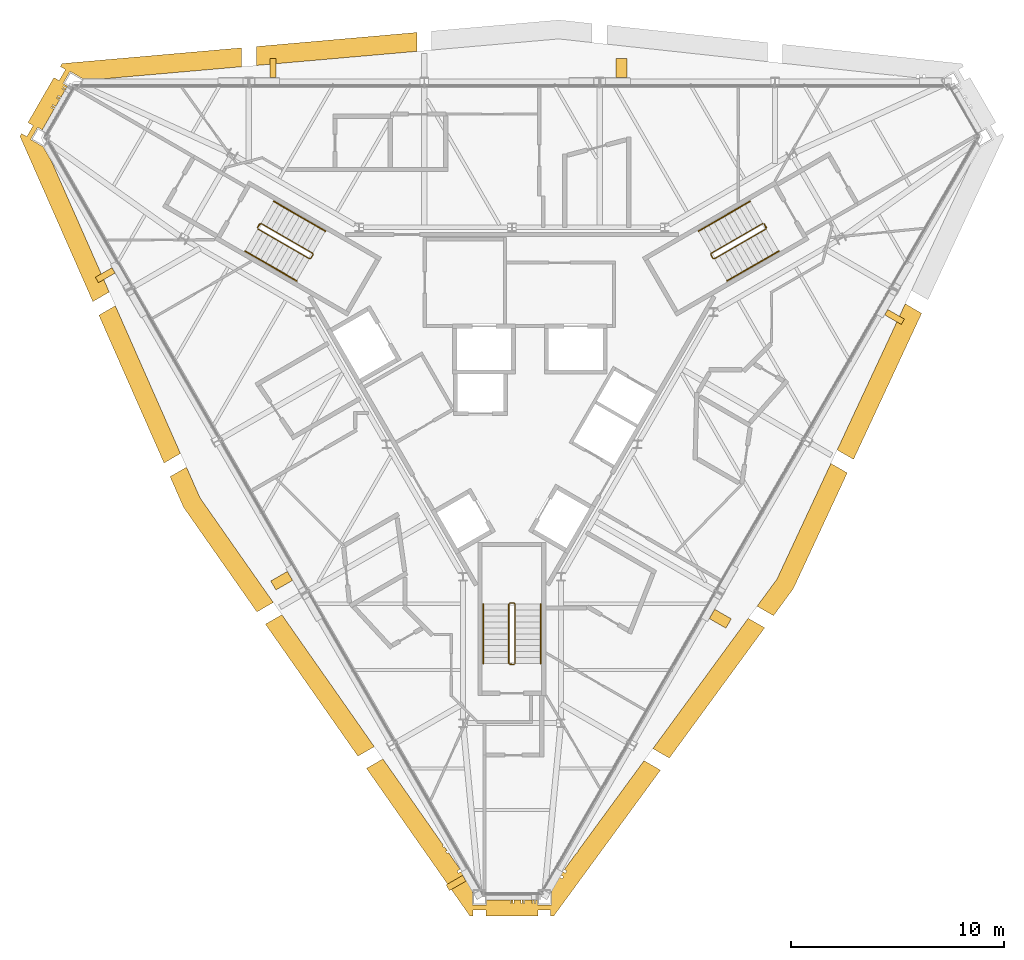
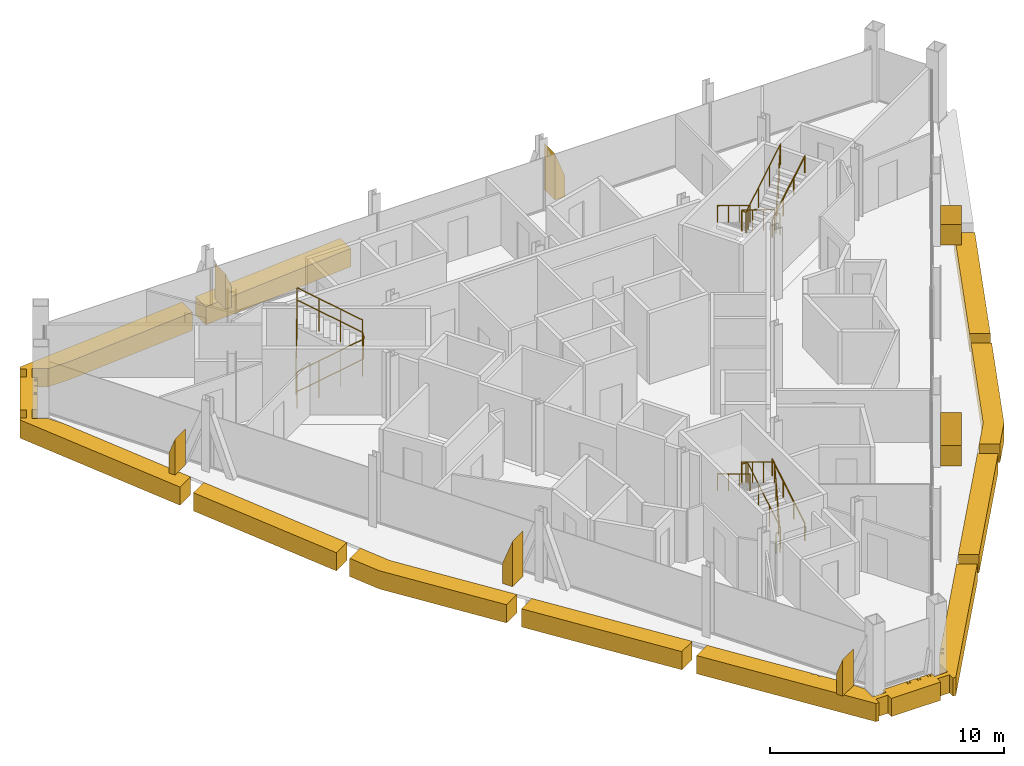
# One storey, part 12 of 13: 16 coverings, 9 railings.
"""IFC4 building model written with IfcOpenShell, lengths in metres."""

import ifcopenshell
import ifcopenshell.guid

model = None  # the IFC model being written
_history = None  # IfcOwnerHistory: only IFC2X3 demands one
_inside = {}  # id of a spatial element -> (the spatial element, [elements in it])
_under = {}  # id of a project, library or spatial element -> (it, [spatial elements below it])
_declared = {}  # id of a project -> (the project, [libraries it declares])
_typed = {}  # id of a type object -> (the type object, [elements of that type])
_made_of = {}  # id of a material, layer set ... -> (it, [elements and type objects made of it])


def new_model(schema):
    """Start an empty IFC model of exactly this schema.

    Asked for "IFC4X3", IfcOpenShell would pick the latest addendum, in which some entities
    have other attributes; the version numbers below select the first issue.
    IFC2X3 requires an IfcOwnerHistory on every rooted entity: one is made here for all.
    """
    global model, _history
    if schema == "IFC4X3":
        model = ifcopenshell.file(schema_version=(4, 3, 0, 0))
    else:
        model = ifcopenshell.file(schema=schema)
    _inside.clear()
    _under.clear()
    _declared.clear()
    _typed.clear()
    _made_of.clear()
    _history = None
    if model.schema == "IFC2X3":
        org = make("IfcOrganization", Name="unknown")
        user = make(
            "IfcPersonAndOrganization",
            ThePerson=make("IfcPerson", FamilyName="unknown"),
            TheOrganization=org,
        )
        app = make(
            "IfcApplication",
            ApplicationDeveloper=org,
            Version="unknown",
            ApplicationFullName="unknown",
            ApplicationIdentifier="unknown",
        )
        _history = make(
            "IfcOwnerHistory",
            OwningUser=user,
            OwningApplication=app,
            ChangeAction="ADDED",
            CreationDate=0,
        )
    return model


def make(cls, **values):
    """One entity of the class cls with the attributes given. An attribute that is None is left unset."""
    return model.create_entity(
        cls, **{name: value for name, value in values.items() if value is not None}
    )


def rooted(cls, **values):
    """An entity with a GlobalId (a new one), such as an element, a storey or a relation."""
    return make(cls, GlobalId=ifcopenshell.guid.new(), OwnerHistory=_history, **values)


def si_unit(unit_type, name, prefix=None):
    """IfcSIUnit, for example si_unit("LENGTHUNIT", "METRE", prefix="MILLI")."""
    return make("IfcSIUnit", UnitType=unit_type, Prefix=prefix, Name=name)


def assignment(units):
    """IfcUnitAssignment: the units of a project."""
    return None if units is None else make("IfcUnitAssignment", Units=units)


def point(xyz):
    """IfcCartesianPoint."""
    return None if xyz is None else make("IfcCartesianPoint", Coordinates=xyz)


def direction(xyz):
    """IfcDirection."""
    return None if xyz is None else make("IfcDirection", DirectionRatios=xyz)


def frame(location, z_axis=None, x_axis=None):
    """IfcAxis2Placement3D, a coordinate frame: its origin and axes. An axis left out is left unset."""
    return make(
        "IfcAxis2Placement3D",
        Location=point(location),
        Axis=direction(z_axis),
        RefDirection=direction(x_axis),
    )


def frame_2d(location, x_axis=None):
    """IfcAxis2Placement2D, a coordinate frame in the plane: its origin and x axis."""
    return make(
        "IfcAxis2Placement2D", Location=point(location), RefDirection=direction(x_axis)
    )


def origin():
    """The frame at (0, 0, 0) with its axes left unset."""
    return frame((0.0, 0.0, 0.0))


def origin_2d():
    """The frame at (0, 0) in the plane with its x axis left unset."""
    return frame_2d((0.0, 0.0))


def place(relative_to, where):
    """IfcLocalPlacement: puts the frame where relative to a parent placement (None: the world)."""
    return make(
        "IfcLocalPlacement", PlacementRelTo=relative_to, RelativePlacement=where
    )


def context(
    kind, dimensions, precision=None, world=None, true_north=None, identifier=None
):
    """IfcGeometricRepresentationContext, for example the 3D "Model" context."""
    return make(
        "IfcGeometricRepresentationContext",
        ContextIdentifier=identifier,
        ContextType=kind,
        CoordinateSpaceDimension=dimensions,
        Precision=precision,
        WorldCoordinateSystem=world,
        TrueNorth=true_north,
    )


def subcontext(parent, identifier, kind, view, scale=None):
    """IfcGeometricRepresentationSubContext, for example "Body" below "Model"."""
    return make(
        "IfcGeometricRepresentationSubContext",
        ContextIdentifier=identifier,
        ContextType=kind,
        ParentContext=parent,
        TargetScale=scale,
        TargetView=view,
    )


def project(units=None, contexts=None):
    """IfcProject with its units and contexts."""
    return rooted(
        "IfcProject",
        Name="project",
        RepresentationContexts=contexts,
        UnitsInContext=assignment(units),
    )


def spatial(cls, under=None, at=None, **own):
    """A site, building, storey or space (cls), placed at a placement, below another one or the project."""
    s = rooted(cls, ObjectPlacement=at, **own)
    if under is not None:
        _under.setdefault(under.id(), (under, []))[1].append(s)
    return s


def polyline(points):
    """IfcPolyline through the points."""
    return make("IfcPolyline", Points=[point(p) for p in points])


def profile(cls, at=None, kind="AREA", **sizes):
    """A parametric profile (cls). Its sizes go by their IFC names, for example OverallWidth=200.0."""
    return make(cls, ProfileType=kind, Position=at, **sizes)


def circle(**sizes):
    """IfcCircleProfileDef."""
    return profile("IfcCircleProfileDef", **sizes)


def outline(outer, holes=None, kind="AREA"):
    """IfcArbitraryClosedProfileDef: a profile drawn as a closed curve; with holes, ...WithVoids."""
    if holes is None:
        return make("IfcArbitraryClosedProfileDef", ProfileType=kind, OuterCurve=outer)
    return make(
        "IfcArbitraryProfileDefWithVoids",
        ProfileType=kind,
        OuterCurve=outer,
        InnerCurves=holes,
    )


def extrude(swept, where, along, depth):
    """IfcExtrudedAreaSolid: the profile swept, set in the frame where, extruded along a direction by depth."""
    return make(
        "IfcExtrudedAreaSolid",
        SweptArea=swept,
        Position=where,
        ExtrudedDirection=direction(along),
        Depth=depth,
    )


def shape(context_of_items, identifier, shape_type, items):
    """IfcShapeRepresentation: the items that make up one representation, for example the "Body"."""
    return make(
        "IfcShapeRepresentation",
        ContextOfItems=context_of_items,
        RepresentationIdentifier=identifier,
        RepresentationType=shape_type,
        Items=items,
    )


def material(Name=None, Category=None):
    """IfcMaterial."""
    return make("IfcMaterial", Name=Name, Category=Category)


def layer(
    of_material, thickness, ventilated=None, Name=None, Category=None, Priority=None
):
    """IfcMaterialLayer: one layer of a wall or slab, of a material (None: an air gap)."""
    return make(
        "IfcMaterialLayer",
        Material=of_material,
        LayerThickness=thickness,
        IsVentilated=ventilated,
        Name=Name,
        Category=Category,
        Priority=Priority,
    )


def layer_set(layers, Name=None):
    """IfcMaterialLayerSet."""
    return make("IfcMaterialLayerSet", MaterialLayers=layers, LayerSetName=Name)


def made_of(thing, what):
    """Note that an element or type object is made of a material, layer set ...; save() writes the relation."""
    if what is not None:
        _made_of.setdefault(what.id(), (what, []))[1].append(thing)
    return thing


def type_object(cls, material=None, **own):
    """A type object (cls), such as IfcWallType, which elements share."""
    return made_of(rooted(cls, **own), material)


def element(
    cls,
    number,
    at=None,
    inside=None,
    cuts=None,
    type_object=None,
    material=None,
    context=None,
    identifier="Body",
    shape_type=None,
    held_by="IfcProductDefinitionShape",
    body=None,
    shapes=None,
    **own,
):
    """One element of the class cls, such as IfcWall. Its Tag is "e" and its number.

    at: its placement. inside: the storey or other place that contains it. cuts: it is an
    opening in that element (IfcRelVoidsElement). A single representation is given by context,
    identifier, shape_type and body (its items); several are given by shapes. held_by: the class
    of the entity that holds the representations. save() writes the other relations.
    """
    e = rooted(cls, Tag="e%d" % number, ObjectPlacement=at, **own)
    if body is not None:
        shapes = [shape(context, identifier, shape_type, body)]
    if shapes is not None:
        e.Representation = make(held_by, Representations=shapes)
    if inside is not None:
        _inside.setdefault(inside.id(), (inside, []))[1].append(e)
    if cuts is not None:
        rooted(
            "IfcRelVoidsElement", RelatingBuildingElement=cuts, RelatedOpeningElement=e
        )
    if type_object is not None:
        _typed.setdefault(type_object.id(), (type_object, []))[1].append(e)
    return made_of(e, material)


def aggregate(whole, parts):
    """IfcRelAggregates: a whole, such as a stair, and the parts it consists of."""
    return rooted("IfcRelAggregates", RelatingObject=whole, RelatedObjects=parts)


def save(model, path):
    """Write the relations noted so far, then the file.

    IfcRelAggregates (storeys below a building ...), IfcRelContainedInSpatialStructure (elements
    in a storey), IfcRelDefinesByType, IfcRelAssociatesMaterial and IfcRelDeclares: one each for
    every whole, place, type object, material and project.
    """
    for whole, parts in _under.values():
        aggregate(whole, parts)
    for where, things in _inside.values():
        rooted(
            "IfcRelContainedInSpatialStructure",
            RelatedElements=things,
            RelatingStructure=where,
        )
    for kind, things in _typed.values():
        rooted("IfcRelDefinesByType", RelatedObjects=things, RelatingType=kind)
    for what, things in _made_of.values():
        rooted("IfcRelAssociatesMaterial", RelatedObjects=things, RelatingMaterial=what)
    for by, libraries in _declared.values():
        rooted("IfcRelDeclares", RelatingContext=by, RelatedDefinitions=libraries)
    model.write(path)


model = new_model("IFC4")

# Units and contexts
model_context = context("Model", 3, precision=1e-05, world=origin(), true_north=direction((0.0, 1.0)))
body_context = subcontext(model_context, "Body", "Model", "MODEL_VIEW")
ifc_project = project(units=[si_unit("LENGTHUNIT", "METRE"), si_unit("AREAUNIT", "SQUARE_METRE"), si_unit("VOLUMEUNIT", "CUBIC_METRE"), si_unit("PLANEANGLEUNIT", "RADIAN"), si_unit("MASSUNIT", "GRAM", prefix="KILO")], contexts=[model_context])

# Site, building, storey
site_placement = place(None, origin())
site = spatial("IfcSite", under=ifc_project, at=site_placement, CompositionType="ELEMENT")
building_placement = place(site_placement, origin())
building = spatial("IfcBuilding", under=site, at=building_placement, Name="Verrane Prism Tower", CompositionType="ELEMENT")
storey_placement = place(building_placement, frame((0.0, 0.0, 282.5)))
storey = spatial("IfcBuildingStorey", under=building, at=storey_placement, Name="L71", CompositionType="ELEMENT", Elevation=282.5)

# Railings
ifc_material_1 = material(Name="Steel A36 rail and posts, no infill", Category="steel")
railing_type_1 = type_object("IfcRailingType", Name="Stair guard 1100 steel rail and posts", PredefinedType="GUARDRAIL", material=ifc_material_1)
railing_1_placement = place(storey_placement, frame((11.78955078125, 6.97998046875, 0.168212890625)))
element("IfcRailing", 1, at=railing_1_placement, inside=storey, type_object=railing_type_1, Name="Stair 1 guard", PredefinedType="GUARDRAIL", context=body_context, shape_type="SweptSolid", body=[
    extrude(circle(Radius=0.02392578125, at=origin_2d()), frame((0.0, 0.0, 1.076171875), z_axis=(-0.742366697286, -0.42866220388, 0.514917859203), x_axis=(0.500049511043, -0.865996816683, 0.0)), (0.0, 0.0, 1.0), 3.266357421875),
    extrude(circle(Radius=0.02392578125, at=origin_2d()), frame((-2.4248046875, -1.400146484375, 2.7578125), z_axis=(-0.259601060869, -0.965715946433, 0.0), x_axis=(0.965715946433, -0.259601060869, 0.0)), (0.0, 0.0, 1.0), 0.070556640625),
    extrude(circle(Radius=0.02392578125, at=origin_2d()), frame((-2.443115234375, -1.46826171875, 2.7578125), z_axis=(0.499158860599, -0.866510491504, 0.0), x_axis=(0.866510491504, 0.499158860599, 0.0)), (0.0, 0.0, 1.0), 0.199951171875),
    extrude(circle(Radius=0.02392578125, at=origin_2d()), frame((-2.34326171875, -1.6416015625, 2.7578125), z_axis=(0.375047803403, -0.100459233054, 0.92154603122), x_axis=(0.258736085224, 0.965948051503, 0.0)), (0.0, 0.0, 1.0), 0.182373046875),
    extrude(circle(Radius=0.02392578125, at=origin_2d()), frame((-2.27490234375, -1.659912109375, 2.92578125), z_axis=(0.742366697286, 0.42866220388, 0.514917859203), x_axis=(-0.500049511043, 0.865996816683, 0.0)), (0.0, 0.0, 1.0), 3.266357421875),
    extrude(circle(Radius=0.02392578125, at=origin_2d()), frame((0.14990234375, -0.259765625, 4.60791015625), z_axis=(-0.021986835041, 0.065104730107, -0.997636182785), x_axis=(-0.947430582667, -0.3199613899, 0.0)), (0.0, 0.0, 1.0), 3.708740234375),
    extrude(circle(Radius=0.02392578125, at=origin_2d()), frame((0.068359375, -0.018310546875, 0.90771484375), z_axis=(0.499158860599, -0.866510491504, 0.0), x_axis=(0.866510491504, 0.499158860599, 0.0)), (0.0, 0.0, 1.0), 0.199951171875),
    extrude(circle(Radius=0.02099609375, at=origin_2d()), origin(), (0.0, 0.0, 1.0), 1.052001953125),
    extrude(circle(Radius=0.02099609375, at=origin_2d()), frame((-0.808349609375, -0.466796875, 0.560546875)), (0.0, 0.0, 1.0), 1.052001953125),
    extrude(circle(Radius=0.02099609375, at=origin_2d()), frame((-1.616455078125, -0.933349609375, 1.121337890625)), (0.0, 0.0, 1.0), 1.052001953125),
    extrude(circle(Radius=0.02099609375, at=origin_2d()), frame((-2.4248046875, -1.400146484375, 1.681884765625)), (0.0, 0.0, 1.0), 1.052001953125),
    extrude(circle(Radius=0.02099609375, at=origin_2d()), frame((-2.443115234375, -1.46826171875, 1.681884765625)), (0.0, 0.0, 1.0), 1.052001953125),
    extrude(circle(Radius=0.02099609375, at=origin_2d()), frame((-2.34326171875, -1.6416015625, 1.681884765625)), (0.0, 0.0, 1.0), 1.052001953125),
    extrude(circle(Radius=0.02099609375, at=origin_2d()), frame((-2.27490234375, -1.659912109375, 1.849853515625)), (0.0, 0.0, 1.0), 1.052001953125),
    extrude(circle(Radius=0.02099609375, at=origin_2d()), frame((-1.466552734375, -1.193115234375, 2.410400390625)), (0.0, 0.0, 1.0), 1.052001953125),
    extrude(circle(Radius=0.02099609375, at=origin_2d()), frame((-0.658447265625, -0.7265625, 2.97119140625)), (0.0, 0.0, 1.0), 1.052001953125),
    extrude(circle(Radius=0.02099609375, at=origin_2d()), frame((0.14990234375, -0.259765625, 3.53173828125)), (0.0, 0.0, 1.0), 1.052001953125),
    extrude(circle(Radius=0.02099609375, at=origin_2d()), frame((0.12939453125, -0.199462890625, 2.606689453125)), (0.0, 0.0, 1.0), 1.052001953125),
    extrude(circle(Radius=0.02099609375, at=origin_2d()), frame((0.109130859375, -0.13916015625, 1.681640625)), (0.0, 0.0, 1.0), 1.052001953125),
    extrude(circle(Radius=0.02099609375, at=origin_2d()), frame((0.0888671875, -0.07861328125, 0.7568359375)), (0.0, 0.0, 1.0), 1.052001953125),
    extrude(circle(Radius=0.02099609375, at=origin_2d()), frame((0.068359375, -0.018310546875, -0.168212890625)), (0.0, 0.0, 1.0), 1.052001953125),
    extrude(circle(Radius=0.02099609375, at=origin_2d()), frame((0.168212890625, -0.191650390625, -0.168212890625)), (0.0, 0.0, 1.0), 1.052001953125),
])
railing_2_placement = place(storey_placement, frame((-11.939453125, 6.72021484375, 0.168212890625)))
element("IfcRailing", 2, at=railing_2_placement, inside=storey, type_object=railing_type_1, Name="Stair 2 guard", PredefinedType="GUARDRAIL", context=body_context, shape_type="SweptSolid", body=[
    extrude(circle(Radius=0.02392578125, at=origin_2d()), frame((0.0, 0.0, 1.076171875), z_axis=(0.742366697286, -0.42866220388, 0.514917859203), x_axis=(0.500049511043, 0.865996816683, 0.0)), (0.0, 0.0, 1.0), 3.266357421875),
    extrude(circle(Radius=0.02392578125, at=origin_2d()), frame((2.4248046875, -1.400146484375, 2.7578125), z_axis=(0.965948051503, 0.258736085224, 0.0), x_axis=(-0.258736085224, 0.965948051503, 0.0)), (0.0, 0.0, 1.0), 0.07080078125),
    extrude(circle(Radius=0.02392578125, at=origin_2d()), frame((2.4931640625, -1.3818359375, 2.7578125), z_axis=(0.499158860599, 0.866510491504, 0.0), x_axis=(-0.866510491504, 0.499158860599, 0.0)), (0.0, 0.0, 1.0), 0.199951171875),
    extrude(circle(Radius=0.02392578125, at=origin_2d()), frame((2.593017578125, -1.20849609375, 2.7578125), z_axis=(-0.10050964758, 0.373895888998, 0.922008500467), x_axis=(-0.965715946433, -0.259601060869, 0.0)), (0.0, 0.0, 1.0), 0.18212890625),
    extrude(circle(Radius=0.02392578125, at=origin_2d()), frame((2.57470703125, -1.140380859375, 2.92578125), z_axis=(-0.742366697286, 0.42866220388, 0.514917859203), x_axis=(-0.500049511043, -0.865996816683, 0.0)), (0.0, 0.0, 1.0), 3.266357421875),
    extrude(circle(Radius=0.02392578125, at=origin_2d()), frame((0.14990234375, 0.259765625, 4.60791015625), z_axis=(-0.04535595117, -0.051675503147, -0.99763343973), x_axis=(0.751567565678, -0.659656118156, 0.0)), (0.0, 0.0, 1.0), 3.708740234375),
    extrude(circle(Radius=0.02392578125, at=origin_2d()), frame((-0.018310546875, 0.068115234375, 0.90771484375), z_axis=(0.499158860599, 0.866510491504, 0.0), x_axis=(-0.866510491504, 0.499158860599, 0.0)), (0.0, 0.0, 1.0), 0.199951171875),
    extrude(circle(Radius=0.02099609375, at=origin_2d()), origin(), (0.0, 0.0, 1.0), 1.052001953125),
    extrude(circle(Radius=0.02099609375, at=origin_2d()), frame((0.808349609375, -0.466796875, 0.560546875)), (0.0, 0.0, 1.0), 1.052001953125),
    extrude(circle(Radius=0.02099609375, at=origin_2d()), frame((1.616455078125, -0.933349609375, 1.121337890625)), (0.0, 0.0, 1.0), 1.052001953125),
    extrude(circle(Radius=0.02099609375, at=origin_2d()), frame((2.4248046875, -1.400146484375, 1.681884765625)), (0.0, 0.0, 1.0), 1.052001953125),
    extrude(circle(Radius=0.02099609375, at=origin_2d()), frame((2.4931640625, -1.3818359375, 1.681884765625)), (0.0, 0.0, 1.0), 1.052001953125),
    extrude(circle(Radius=0.02099609375, at=origin_2d()), frame((2.593017578125, -1.20849609375, 1.681884765625)), (0.0, 0.0, 1.0), 1.052001953125),
    extrude(circle(Radius=0.02099609375, at=origin_2d()), frame((2.57470703125, -1.140380859375, 1.849853515625)), (0.0, 0.0, 1.0), 1.052001953125),
    extrude(circle(Radius=0.02099609375, at=origin_2d()), frame((1.766357421875, -0.673583984375, 2.410400390625)), (0.0, 0.0, 1.0), 1.052001953125),
    extrude(circle(Radius=0.02099609375, at=origin_2d()), frame((0.958251953125, -0.20703125, 2.97119140625)), (0.0, 0.0, 1.0), 1.052001953125),
    extrude(circle(Radius=0.02099609375, at=origin_2d()), frame((0.14990234375, 0.259765625, 3.53173828125)), (0.0, 0.0, 1.0), 1.052001953125),
    extrude(circle(Radius=0.02099609375, at=origin_2d()), frame((0.10791015625, 0.2119140625, 2.606689453125)), (0.0, 0.0, 1.0), 1.052001953125),
    extrude(circle(Radius=0.02099609375, at=origin_2d()), frame((0.06591796875, 0.1640625, 1.681640625)), (0.0, 0.0, 1.0), 1.052001953125),
    extrude(circle(Radius=0.02099609375, at=origin_2d()), frame((0.023681640625, 0.115966796875, 0.7568359375)), (0.0, 0.0, 1.0), 1.052001953125),
    extrude(circle(Radius=0.02099609375, at=origin_2d()), frame((-0.018310546875, 0.068115234375, -0.168212890625)), (0.0, 0.0, 1.0), 1.052001953125),
    extrude(circle(Radius=0.02099609375, at=origin_2d()), frame((0.08154296875, 0.241455078125, -0.168212890625)), (0.0, 0.0, 1.0), 1.052001953125),
])
railing_3_placement = place(storey_placement, frame((0.14990234375, -13.699951171875, 0.168212890625)))
element("IfcRailing", 3, at=railing_3_placement, inside=storey, type_object=railing_type_1, Name="Stair 3 guard", PredefinedType="GUARDRAIL", context=body_context, shape_type="SweptSolid", body=[
    extrude(circle(Radius=0.02392578125, at=origin_2d()), frame((0.0, 0.0, 1.076171875), z_axis=(0.0, 0.857242210791, 0.514913383045), x_axis=(-1.0, 0.0, 0.0)), (0.0, 0.0, 1.0), 3.266357421875),
    extrude(circle(Radius=0.02392578125, at=origin_2d()), frame((0.0, 2.800048828125, 2.7578125), z_axis=(-0.707106781187, 0.707106781187, 0.0), x_axis=(-0.707106781187, -0.707106781187, 0.0)), (0.0, 0.0, 1.0), 0.0703125),
    extrude(circle(Radius=0.02392578125, at=origin_2d()), frame((-0.0498046875, 2.849853515625, 2.7578125), z_axis=(-1.0, 0.0, 0.0), x_axis=(0.0, -1.0, 0.0)), (0.0, 0.0, 1.0), 0.2001953125),
    extrude(circle(Radius=0.02392578125, at=origin_2d()), frame((-0.25, 2.849853515625, 2.7578125), z_axis=(-0.273443704961, -0.273443704961, 0.922202299083), x_axis=(0.707106781187, -0.707106781187, 0.0)), (0.0, 0.0, 1.0), 0.18212890625),
    extrude(circle(Radius=0.02392578125, at=origin_2d()), frame((-0.2998046875, 2.800048828125, 2.92578125), z_axis=(0.0, -0.857242210791, 0.514913383045), x_axis=(1.0, 0.0, 0.0)), (0.0, 0.0, 1.0), 3.266357421875),
    extrude(circle(Radius=0.02392578125, at=origin_2d()), frame((-0.2998046875, 0.0, 4.60791015625), z_axis=(0.067408604812, -0.013494886706, -0.997634185476), x_axis=(0.196300278283, 0.98054382908, 0.0)), (0.0, 0.0, 1.0), 3.708740234375),
    extrude(circle(Radius=0.02392578125, at=origin_2d()), frame((-0.0498046875, -0.050048828125, 0.90771484375), z_axis=(-1.0, 0.0, 0.0), x_axis=(0.0, -1.0, 0.0)), (0.0, 0.0, 1.0), 0.2001953125),
    extrude(circle(Radius=0.02099609375, at=origin_2d()), origin(), (0.0, 0.0, 1.0), 1.052001953125),
    extrude(circle(Radius=0.02099609375, at=origin_2d()), frame((0.0, 0.933349609375, 0.560546875)), (0.0, 0.0, 1.0), 1.052001953125),
    extrude(circle(Radius=0.02099609375, at=origin_2d()), frame((0.0, 1.86669921875, 1.121337890625)), (0.0, 0.0, 1.0), 1.052001953125),
    extrude(circle(Radius=0.02099609375, at=origin_2d()), frame((0.0, 2.800048828125, 1.681884765625)), (0.0, 0.0, 1.0), 1.052001953125),
    extrude(circle(Radius=0.02099609375, at=origin_2d()), frame((-0.0498046875, 2.849853515625, 1.681884765625)), (0.0, 0.0, 1.0), 1.052001953125),
    extrude(circle(Radius=0.02099609375, at=origin_2d()), frame((-0.25, 2.849853515625, 1.681884765625)), (0.0, 0.0, 1.0), 1.052001953125),
    extrude(circle(Radius=0.02099609375, at=origin_2d()), frame((-0.2998046875, 2.800048828125, 1.849853515625)), (0.0, 0.0, 1.0), 1.052001953125),
    extrude(circle(Radius=0.02099609375, at=origin_2d()), frame((-0.2998046875, 1.86669921875, 2.410400390625)), (0.0, 0.0, 1.0), 1.052001953125),
    extrude(circle(Radius=0.02099609375, at=origin_2d()), frame((-0.2998046875, 0.933349609375, 2.97119140625)), (0.0, 0.0, 1.0), 1.052001953125),
    extrude(circle(Radius=0.02099609375, at=origin_2d()), frame((-0.2998046875, 0.0, 3.53173828125)), (0.0, 0.0, 1.0), 1.052001953125),
    extrude(circle(Radius=0.02099609375, at=origin_2d()), frame((-0.2373046875, -0.012451171875, 2.606689453125)), (0.0, 0.0, 1.0), 1.052001953125),
    extrude(circle(Radius=0.02099609375, at=origin_2d()), frame((-0.1748046875, -0.02490234375, 1.681640625)), (0.0, 0.0, 1.0), 1.052001953125),
    extrude(circle(Radius=0.02099609375, at=origin_2d()), frame((-0.1123046875, -0.03759765625, 0.7568359375)), (0.0, 0.0, 1.0), 1.052001953125),
    extrude(circle(Radius=0.02099609375, at=origin_2d()), frame((-0.0498046875, -0.050048828125, -0.168212890625)), (0.0, 0.0, 1.0), 1.052001953125),
    extrude(circle(Radius=0.02099609375, at=origin_2d()), frame((-0.25, -0.050048828125, -0.168212890625)), (0.0, 0.0, 1.0), 1.052001953125),
])
ifc_material_2 = material(Name="Steel A36 tube", Category="steel")
railing_type_2 = type_object("IfcRailingType", Name="Stair handrail 900 steel tube", PredefinedType="HANDRAIL", material=ifc_material_2)
railing_4_placement = place(storey_placement, frame((11.189453125, 8.01904296875, 0.168212890625)))
element("IfcRailing", 4, at=railing_4_placement, inside=storey, type_object=railing_type_2, Name="Stair 1 handrail", PredefinedType="HANDRAIL", context=body_context, shape_type="SweptSolid", body=[
    extrude(circle(Radius=0.02392578125, at=origin_2d()), frame((0.0, 0.0, 0.8759765625), z_axis=(-0.742390482028, -0.42860119049, 0.514934356695), x_axis=(0.49998411664, -0.866034573852, 0.0)), (0.0, 0.0, 1.0), 3.26611328125),
    extrude(circle(Radius=0.02099609375, at=origin_2d()), origin(), (0.0, 0.0, 1.0), 0.851806640625),
    extrude(circle(Radius=0.02099609375, at=origin_2d()), frame((-0.808349609375, -0.466552734375, 0.560546875)), (0.0, 0.0, 1.0), 0.851806640625),
    extrude(circle(Radius=0.02099609375, at=origin_2d()), frame((-1.616455078125, -0.933349609375, 1.121337890625)), (0.0, 0.0, 1.0), 0.851806640625),
    extrude(circle(Radius=0.02099609375, at=origin_2d()), frame((-2.4248046875, -1.39990234375, 1.681884765625)), (0.0, 0.0, 1.0), 0.851806640625),
])
railing_5_placement = place(storey_placement, frame((10.11474609375, 4.28076171875, 2.01806640625)))
element("IfcRailing", 5, at=railing_5_placement, inside=storey, type_object=railing_type_2, Name="Stair 1 handrail", PredefinedType="HANDRAIL", context=body_context, shape_type="SweptSolid", body=[
    extrude(circle(Radius=0.02392578125, at=origin_2d()), frame((0.0, 0.0, 0.8759765625), z_axis=(0.742366697286, 0.42866220388, 0.514917859203), x_axis=(-0.500049511043, 0.865996816683, 0.0)), (0.0, 0.0, 1.0), 3.266357421875),
    extrude(circle(Radius=0.02099609375, at=origin_2d()), origin(), (0.0, 0.0, 1.0), 0.851806640625),
    extrude(circle(Radius=0.02099609375, at=origin_2d()), frame((0.808349609375, 0.466796875, 0.560546875)), (0.0, 0.0, 1.0), 0.851806640625),
    extrude(circle(Radius=0.02099609375, at=origin_2d()), frame((1.616455078125, 0.933349609375, 1.121337890625)), (0.0, 0.0, 1.0), 0.851806640625),
    extrude(circle(Radius=0.02099609375, at=origin_2d()), frame((2.4248046875, 1.400146484375, 1.681884765625)), (0.0, 0.0, 1.0), 0.851806640625),
])
railing_6_placement = place(storey_placement, frame((-12.53955078125, 5.680908203125, 0.168212890625)))
element("IfcRailing", 6, at=railing_6_placement, inside=storey, type_object=railing_type_2, Name="Stair 2 handrail", PredefinedType="HANDRAIL", context=body_context, shape_type="SweptSolid", body=[
    extrude(circle(Radius=0.02392578125, at=origin_2d()), frame((0.0, 0.0, 0.8759765625), z_axis=(0.742366697286, -0.42866220388, 0.514917859203), x_axis=(0.500049511043, 0.865996816683, 0.0)), (0.0, 0.0, 1.0), 3.266357421875),
    extrude(circle(Radius=0.02099609375, at=origin_2d()), origin(), (0.0, 0.0, 1.0), 0.851806640625),
    extrude(circle(Radius=0.02099609375, at=origin_2d()), frame((0.808349609375, -0.466796875, 0.560546875)), (0.0, 0.0, 1.0), 0.851806640625),
    extrude(circle(Radius=0.02099609375, at=origin_2d()), frame((1.616455078125, -0.933349609375, 1.121337890625)), (0.0, 0.0, 1.0), 0.851806640625),
    extrude(circle(Radius=0.02099609375, at=origin_2d()), frame((2.4248046875, -1.400146484375, 1.681884765625)), (0.0, 0.0, 1.0), 0.851806640625),
])
railing_7_placement = place(storey_placement, frame((-8.7646484375, 6.619140625, 2.01806640625)))
element("IfcRailing", 7, at=railing_7_placement, inside=storey, type_object=railing_type_2, Name="Stair 2 handrail", PredefinedType="HANDRAIL", context=body_context, shape_type="SweptSolid", body=[
    extrude(circle(Radius=0.02392578125, at=origin_2d()), frame((0.0, 0.0, 0.8759765625), z_axis=(-0.742390482028, 0.42860119049, 0.514934356695), x_axis=(-0.49998411664, -0.866034573852, 0.0)), (0.0, 0.0, 1.0), 3.26611328125),
    extrude(circle(Radius=0.02099609375, at=origin_2d()), origin(), (0.0, 0.0, 1.0), 0.851806640625),
    extrude(circle(Radius=0.02099609375, at=origin_2d()), frame((-0.808349609375, 0.466552734375, 0.560546875)), (0.0, 0.0, 1.0), 0.851806640625),
    extrude(circle(Radius=0.02099609375, at=origin_2d()), frame((-1.616455078125, 0.933349609375, 1.121337890625)), (0.0, 0.0, 1.0), 0.851806640625),
    extrude(circle(Radius=0.02099609375, at=origin_2d()), frame((-2.4248046875, 1.39990234375, 1.681884765625)), (0.0, 0.0, 1.0), 0.851806640625),
])
railing_8_placement = place(storey_placement, frame((1.35009765625, -13.699951171875, 0.168212890625)))
element("IfcRailing", 8, at=railing_8_placement, inside=storey, type_object=railing_type_2, Name="Stair 3 handrail", PredefinedType="HANDRAIL", context=body_context, shape_type="SweptSolid", body=[
    extrude(circle(Radius=0.02392578125, at=origin_2d()), frame((0.0, 0.0, 0.8759765625), z_axis=(0.0, 0.857242210791, 0.514913383045), x_axis=(-1.0, 0.0, 0.0)), (0.0, 0.0, 1.0), 3.266357421875),
    extrude(circle(Radius=0.02099609375, at=origin_2d()), origin(), (0.0, 0.0, 1.0), 0.851806640625),
    extrude(circle(Radius=0.02099609375, at=origin_2d()), frame((0.0, 0.933349609375, 0.560546875)), (0.0, 0.0, 1.0), 0.851806640625),
    extrude(circle(Radius=0.02099609375, at=origin_2d()), frame((0.0, 1.86669921875, 1.121337890625)), (0.0, 0.0, 1.0), 0.851806640625),
    extrude(circle(Radius=0.02099609375, at=origin_2d()), frame((0.0, 2.800048828125, 1.681884765625)), (0.0, 0.0, 1.0), 0.851806640625),
])
railing_9_placement = place(storey_placement, frame((-1.35009765625, -10.89990234375, 2.01806640625)))
element("IfcRailing", 9, at=railing_9_placement, inside=storey, type_object=railing_type_2, Name="Stair 3 handrail", PredefinedType="HANDRAIL", context=body_context, shape_type="SweptSolid", body=[
    extrude(circle(Radius=0.02392578125, at=origin_2d()), frame((0.0, 0.0, 0.8759765625), z_axis=(0.0, -0.857242210791, 0.514913383045), x_axis=(1.0, 0.0, 0.0)), (0.0, 0.0, 1.0), 3.266357421875),
    extrude(circle(Radius=0.02099609375, at=origin_2d()), origin(), (0.0, 0.0, 1.0), 0.851806640625),
    extrude(circle(Radius=0.02099609375, at=origin_2d()), frame((0.0, -0.933349609375, 0.560546875)), (0.0, 0.0, 1.0), 0.851806640625),
    extrude(circle(Radius=0.02099609375, at=origin_2d()), frame((0.0, -1.86669921875, 1.121337890625)), (0.0, 0.0, 1.0), 0.851806640625),
    extrude(circle(Radius=0.02099609375, at=origin_2d()), frame((0.0, -2.800048828125, 1.681884765625)), (0.0, 0.0, 1.0), 0.851806640625),
])

# Coverings
ifc_material_3 = material(Name="Warm limestone cladding", Category="masonry")
ifc_layer_1 = layer(ifc_material_3, 0.89990234375)
ifc_layer_set_1 = layer_set([ifc_layer_1], Name="Stone brace fin 900")
covering_type_1 = type_object("IfcCoveringType", Name="Stone brace fin 900", PredefinedType="CLADDING", material=ifc_layer_set_1)
covering_1_placement = place(storey_placement, frame((5.39990234375, 14.27783203125, 0.0), z_axis=(0.0, 0.0, 1.0), x_axis=(-1.0, 0.0, 0.0)))
element("IfcCovering", 10, at=covering_1_placement, inside=storey, type_object=covering_type_1, Name="Stone brace fin N2 L71", PredefinedType="CLADDING", context=body_context, shape_type="SweptSolid", body=[
    extrude(outline(polyline([(0.0, 0.0), (0.5068359375, 0.0), (0.5068359375, 2.442138671875), (0.0, 1.076416015625), (0.0, 0.0)])), frame((0.0, 0.449951171875, 0.0), z_axis=(0.0, -1.0, 0.0), x_axis=(1.0, 0.0, 0.0)), (0.0, 0.0, 1.0), 0.89990234375),
])
covering_2_placement = place(storey_placement, frame((-11.080078125, 14.27783203125, 0.0), z_axis=(0.0, 0.0, 1.0), x_axis=(-1.0, 0.0, 0.0)))
element("IfcCovering", 11, at=covering_2_placement, inside=storey, type_object=covering_type_1, Name="Stone brace fin N4 L71", PredefinedType="CLADDING", context=body_context, shape_type="SweptSolid", body=[
    extrude(outline(polyline([(0.0, 0.0), (0.29248046875, 0.0), (0.29248046875, 1.8642578125), (0.0, 1.076416015625), (0.0, 0.0)])), frame((0.0, 0.449951171875, 0.0), z_axis=(0.0, -1.0, 0.0), x_axis=(1.0, 0.0, 0.0)), (0.0, 0.0, 1.0), 0.89990234375),
])
covering_3_placement = place(storey_placement, frame((-19.18359375, 4.67529296875, 0.0), z_axis=(0.0, 0.0, 1.0), x_axis=(0.499192406143, -0.866491166515, 0.0)))
element("IfcCovering", 12, at=covering_3_placement, inside=storey, type_object=covering_type_1, Name="Stone brace fin SW1 L71", PredefinedType="CLADDING", context=body_context, shape_type="SweptSolid", body=[
    extrude(outline(polyline([(0.0, 0.0), (0.29248046875, 0.0), (0.29248046875, 1.86376953125), (0.0, 1.075927734375), (0.0, 0.0)])), frame((0.0, 0.449951171875, 0.0), z_axis=(0.0, -1.0, 0.0), x_axis=(1.0, 0.0, 0.0)), (0.0, 0.0, 1.0), 0.89990234375),
])
covering_4_placement = place(storey_placement, frame((-10.943603515625, -9.5966796875, 0.0), z_axis=(0.0, 0.0, 1.0), x_axis=(0.500720114115, -0.865609246323, 0.0)))
element("IfcCovering", 13, at=covering_4_placement, inside=storey, type_object=covering_type_1, Name="Stone brace fin SW3 L71", PredefinedType="CLADDING", context=body_context, shape_type="SweptSolid", body=[
    extrude(outline(polyline([(0.0, 0.0), (0.487060546875, 0.0), (0.487060546875, 2.390380859375), (0.0, 1.077392578125), (0.0, 0.0)])), frame((0.0, 0.449951171875, 0.0), z_axis=(0.0, -1.0, 0.0), x_axis=(1.0, 0.0, 0.0)), (0.0, 0.0, 1.0), 0.89990234375),
])
covering_5_placement = place(storey_placement, frame((-2.70361328125, -23.874755859375, 0.0), z_axis=(0.0, 0.0, 1.0), x_axis=(0.499925626596, -0.866068339032, 0.0)))
element("IfcCovering", 14, at=covering_5_placement, inside=storey, type_object=covering_type_1, Name="Stone brace fin SW5 L71", PredefinedType="CLADDING", context=body_context, shape_type="SweptSolid", body=[
    extrude(outline(polyline([(0.0, 0.0), (0.31201171875, 0.0), (0.31201171875, 1.916259765625), (0.0, 1.075927734375), (0.0, 0.0)])), frame((0.0, 0.449951171875, 0.0), z_axis=(0.0, -1.0, 0.0), x_axis=(1.0, 0.0, 0.0)), (0.0, 0.0, 1.0), 0.89990234375),
])
covering_6_placement = place(storey_placement, frame((9.663818359375, -11.812744140625, 0.0), z_axis=(0.0, 0.0, 1.0), x_axis=(0.499764133855, 0.866161538347, 0.0)))
element("IfcCovering", 15, at=covering_6_placement, inside=storey, type_object=covering_type_1, Name="Stone brace fin SE2 L71", PredefinedType="CLADDING", context=body_context, shape_type="SweptSolid", body=[
    extrude(outline(polyline([(0.0, 0.0), (0.507080078125, 0.0), (0.507080078125, 2.44140625), (0.0, 1.075927734375), (0.0, 0.0)])), frame((0.0, 0.449951171875, 0.0), z_axis=(0.0, -1.0, 0.0), x_axis=(1.0, 0.0, 0.0)), (0.0, 0.0, 1.0), 0.89990234375),
])
covering_7_placement = place(storey_placement, frame((17.90380859375, 2.457275390625, 0.0), z_axis=(0.0, 0.0, 1.0), x_axis=(0.499818765479, 0.866130014302, 0.0)))
element("IfcCovering", 16, at=covering_7_placement, inside=storey, type_object=covering_type_1, Name="Stone brace fin SE4 L71", PredefinedType="CLADDING", context=body_context, shape_type="SweptSolid", body=[
    extrude(outline(polyline([(0.0, 0.0), (0.29248046875, 0.0), (0.29248046875, 1.86376953125), (0.0, 1.075927734375), (0.0, 0.0)])), frame((0.0, 0.449951171875, 0.0), z_axis=(0.0, -1.0, 0.0), x_axis=(1.0, 0.0, 0.0)), (0.0, 0.0, 1.0), 0.89990234375),
])
ifc_material_4 = material(Name="Warm limestone cladding", Category="masonry")
ifc_layer_2 = layer(ifc_material_4, 0.449951171875)
ifc_layer_set_2 = layer_set([ifc_layer_2], Name="Stone spandrel band 450")
covering_type_2 = type_object("IfcCoveringType", Name="Stone spandrel band 450", PredefinedType="CLADDING", material=ifc_layer_set_2)
covering_8_placement = place(storey_placement, frame((0.0, 0.0, -0.949951171875)))
element("IfcCovering", 17, at=covering_8_placement, inside=storey, type_object=covering_type_2, Name="Stone spandrel band L71 part 1", PredefinedType="CLADDING", context=body_context, shape_type="SweptSolid", body=[
    extrude(outline(polyline([(-19.69091796875, 3.310791015625), (-18.920166015625, 3.755859375), (-21.625244140625, 9.889404296875), (-22.027099609375, 10.585205078125), (-22.614013671875, 10.92431640625), (-22.2841796875, 11.495849609375), (-22.07275390625, 11.373779296875), (-21.51318359375, 12.3427734375), (-21.65478515625, 12.424560546875), (-21.639892578125, 12.449951171875), (-21.49853515625, 12.3681640625), (-21.4580078125, 12.4384765625), (-21.599365234375, 12.520263671875), (-21.575927734375, 12.560791015625), (-21.4345703125, 12.47900390625), (-21.260009765625, 12.78125), (-21.4013671875, 12.86279296875), (-21.38671875, 12.888427734375), (-21.245361328125, 12.806640625), (-21.204833984375, 12.876953125), (-21.34619140625, 12.95849609375), (-21.32275390625, 12.9990234375), (-21.181396484375, 12.91748046875), (-21.007080078125, 13.219482421875), (-21.148193359375, 13.30126953125), (-21.13330078125, 13.32666015625), (-20.9921875, 13.2451171875), (-20.95166015625, 13.315185546875), (-21.0927734375, 13.39697265625), (-21.0693359375, 13.4375), (-20.92822265625, 13.35595703125), (-20.8837890625, 13.432861328125), (-21.093994140625, 13.55419921875), (-20.76416015625, 14.125732421875), (-20.1708984375, 13.783447265625), (-19.084228515625, 13.783447265625), (-12.712646484375, 14.34228515625), (-12.712646484375, 15.23046875), (-21.140380859375, 14.4912109375), (-21.220703125, 14.352294921875), (-20.97412109375, 14.209716796875), (-21.274169921875, 13.690185546875), (-21.520751953125, 13.83251953125), (-22.73974609375, 11.72119140625), (-22.4931640625, 11.578857421875), (-22.793212890625, 11.05908203125), (-23.039794921875, 11.20166015625), (-23.1142578125, 11.07275390625), (-19.69091796875, 3.310791015625)])), origin(), (0.0, 0.0, 1.0), 0.949951171875),
])
covering_9_placement = place(storey_placement, frame((0.0, 0.0, -0.949951171875)))
element("IfcCovering", 18, at=covering_9_placement, inside=storey, type_object=covering_type_2, Name="Stone spandrel band L71 part 2", PredefinedType="CLADDING", context=body_context, shape_type="SweptSolid", body=[
    extrude(outline(polyline([(1.968017578125, -25.5537109375), (6.978271484375, -18.708251953125), (6.20751953125, -18.26318359375), (3.095703125, -22.514892578125), (3.1064453125, -22.52099609375), (3.047607421875, -22.622802734375), (3.02587890625, -22.610107421875), (2.46337890625, -23.37890625), (2.574462890625, -23.443115234375), (2.51318359375, -23.548828125), (2.390625, -23.478271484375), (2.279541015625, -23.6298828125), (2.419677734375, -23.7109375), (2.361083984375, -23.812744140625), (2.2158203125, -23.72900390625), (1.85009765625, -24.3623046875), (1.85009765625, -25.050048828125), (1.18994140625, -25.050048828125), (1.18994140625, -24.802490234375), (1.100830078125, -24.802490234375), (1.100830078125, -24.969970703125), (1.053955078125, -24.969970703125), (1.053955078125, -24.802490234375), (0.972900390625, -24.802490234375), (0.972900390625, -24.969970703125), (0.943359375, -24.969970703125), (0.943359375, -24.802490234375), (0.593994140625, -24.802490234375), (0.593994140625, -24.969970703125), (0.547119140625, -24.969970703125), (0.547119140625, -24.802490234375), (0.466064453125, -24.802490234375), (0.466064453125, -24.969970703125), (0.4365234375, -24.969970703125), (0.4365234375, -24.802490234375), (0.08740234375, -24.802490234375), (0.08740234375, -24.969970703125), (0.04052734375, -24.969970703125), (0.04052734375, -24.802490234375), (-0.04052734375, -24.802490234375), (-0.04052734375, -24.969970703125), (-0.070068359375, -24.969970703125), (-0.070068359375, -24.802490234375), (-1.18994140625, -24.802490234375), (-1.18994140625, -25.050048828125), (-1.85009765625, -25.050048828125), (-1.85009765625, -24.3623046875), (-2.2158203125, -23.72900390625), (-2.361083984375, -23.812744140625), (-2.419677734375, -23.7109375), (-2.2744140625, -23.627197265625), (-2.367919921875, -23.465087890625), (-2.51318359375, -23.548828125), (-2.574462890625, -23.443115234375), (-2.4345703125, -23.3623046875), (-2.979736328125, -22.583740234375), (-3.047607421875, -22.622802734375), (-3.1064453125, -22.52099609375), (-3.047607421875, -22.487060546875), (-3.1552734375, -22.333251953125), (-3.199951171875, -22.35888671875), (-3.260986328125, -22.2529296875), (-3.225830078125, -22.232666015625), (-6.064208984375, -18.1806640625), (-6.83349609375, -18.624755859375), (-1.9794921875, -25.5537109375), (-1.819091796875, -25.5537109375), (-1.819091796875, -25.26904296875), (-1.218994140625, -25.26904296875), (-1.218994140625, -25.5537109375), (1.218994140625, -25.5537109375), (1.218994140625, -25.26904296875), (1.819091796875, -25.26904296875), (1.819091796875, -25.5537109375), (1.968017578125, -25.5537109375)])), origin(), (0.0, 0.0, 1.0), 0.949951171875),
])
covering_10_placement = place(storey_placement, frame((0.0, 0.0, -0.949951171875)))
element("IfcCovering", 19, at=covering_10_placement, inside=storey, type_object=covering_type_2, Name="Stone spandrel band L71 part 4", PredefinedType="CLADDING", context=body_context, shape_type="SweptSolid", body=[
    extrude(outline(polyline([(-15.57470703125, -3.82958984375), (-18.635986328125, 3.111572265625), (-19.40673828125, 2.66650390625), (-16.345703125, -4.274658203125), (-15.57470703125, -3.82958984375)])), origin(), (0.0, 0.0, 1.0), 0.949951171875),
])
covering_11_placement = place(storey_placement, frame((0.0, 0.0, -0.949951171875)))
element("IfcCovering", 20, at=covering_11_placement, inside=storey, type_object=covering_type_2, Name="Stone spandrel band L71 part 5", PredefinedType="CLADDING", context=body_context, shape_type="SweptSolid", body=[
    extrude(outline(polyline([(-11.983642578125, -11.27294921875), (-11.214599609375, -10.828857421875), (-14.652099609375, -5.921630859375), (-15.290771484375, -4.473876953125), (-16.0615234375, -4.918701171875), (-15.4267578125, -6.358154296875), (-11.983642578125, -11.27294921875)])), origin(), (0.0, 0.0, 1.0), 0.949951171875),
])
covering_12_placement = place(storey_placement, frame((0.0, 0.0, -0.949951171875)))
element("IfcCovering", 21, at=covering_12_placement, inside=storey, type_object=covering_type_2, Name="Stone spandrel band L71 part 6", PredefinedType="CLADDING", context=body_context, shape_type="SweptSolid", body=[
    extrude(outline(polyline([(-7.23681640625, -18.04931640625), (-6.467529296875, -17.60498046875), (-10.811279296875, -11.404296875), (-11.58056640625, -11.848388671875), (-7.23681640625, -18.04931640625)])), origin(), (0.0, 0.0, 1.0), 0.949951171875),
])
covering_13_placement = place(storey_placement, frame((0.0, 0.0, -0.949951171875)))
element("IfcCovering", 22, at=covering_13_placement, inside=storey, type_object=covering_type_2, Name="Stone spandrel band L71 part 7", PredefinedType="CLADDING", context=body_context, shape_type="SweptSolid", body=[
    extrude(outline(polyline([(11.874755859375, -12.018310546875), (11.10400390625, -11.573486328125), (6.623291015625, -17.695068359375), (7.394287109375, -18.14013671875), (11.874755859375, -12.018310546875)])), origin(), (0.0, 0.0, 1.0), 0.949951171875),
])
covering_14_placement = place(storey_placement, frame((0.0, 0.0, -0.949951171875)))
element("IfcCovering", 23, at=covering_14_placement, inside=storey, type_object=covering_type_2, Name="Stone spandrel band L71 part 8", PredefinedType="CLADDING", context=body_context, shape_type="SweptSolid", body=[
    extrude(outline(polyline([(14.9853515625, -4.297607421875), (12.454345703125, -9.728515625), (11.519775390625, -11.005126953125), (12.29052734375, -11.4501953125), (13.2197265625, -10.180908203125), (15.754638671875, -4.74169921875), (14.9853515625, -4.297607421875)])), origin(), (0.0, 0.0, 1.0), 0.949951171875),
])
covering_15_placement = place(storey_placement, frame((0.0, 0.0, -0.949951171875)))
element("IfcCovering", 24, at=covering_15_placement, inside=storey, type_object=covering_type_2, Name="Stone spandrel band L71 part 9", PredefinedType="CLADDING", context=body_context, shape_type="SweptSolid", body=[
    extrude(outline(polyline([(18.480224609375, 3.201416015625), (15.2822265625, -3.66064453125), (16.051513671875, -4.104736328125), (17.174072265625, -1.696044921875), (19.24951171875, 2.75732421875), (18.480224609375, 3.201416015625)])), origin(), (0.0, 0.0, 1.0), 0.949951171875),
])
covering_16_placement = place(storey_placement, frame((0.0, 0.0, -0.949951171875)))
element("IfcCovering", 25, at=covering_16_placement, inside=storey, type_object=covering_type_2, Name="Stone spandrel band L71 part 12", PredefinedType="CLADDING", context=body_context, shape_type="SweptSolid", body=[
    extrude(outline(polyline([(-12.0126953125, 14.403564453125), (-4.470947265625, 15.065185546875), (-4.470947265625, 15.953369140625), (-12.0126953125, 15.291748046875), (-12.0126953125, 14.403564453125)])), origin(), (0.0, 0.0, 1.0), 0.949951171875),
])

save(model, "model.ifc")
